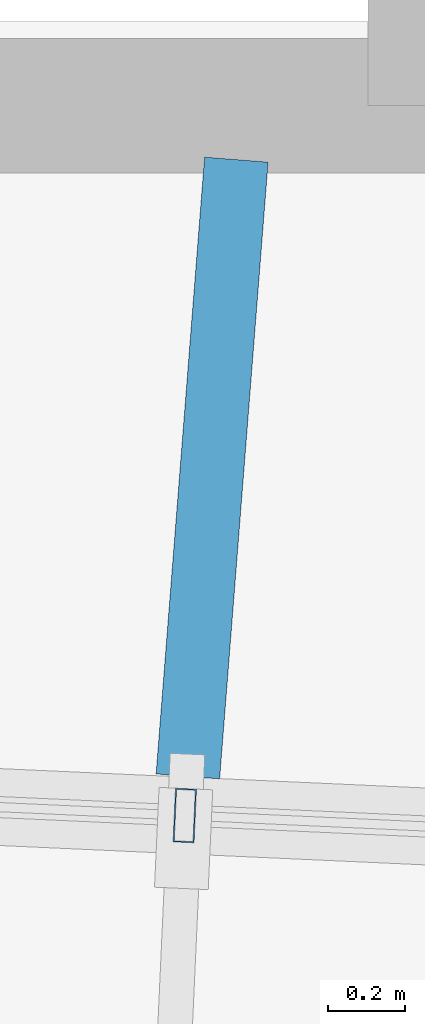
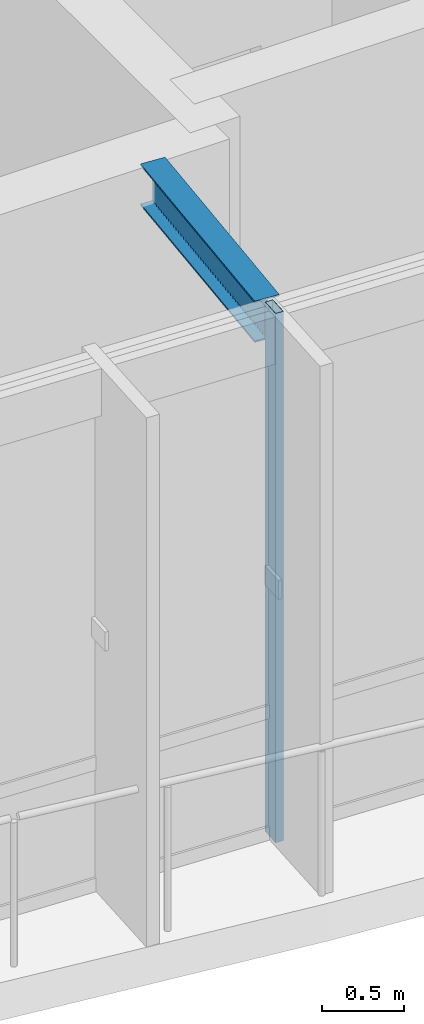
# One storey, part 16 of 78: 1 beam, 1 member, 1 element without a shape of its own.
"""IFC4 building model written with IfcOpenShell, lengths in metres."""

import ifcopenshell
import ifcopenshell.guid

model = None  # the IFC model being written
_history = None  # IfcOwnerHistory: only IFC2X3 demands one
_inside = {}  # id of a spatial element -> (the spatial element, [elements in it])
_under = {}  # id of a project, library or spatial element -> (it, [spatial elements below it])
_declared = {}  # id of a project -> (the project, [libraries it declares])
_typed = {}  # id of a type object -> (the type object, [elements of that type])
_made_of = {}  # id of a material, layer set ... -> (it, [elements and type objects made of it])


def new_model(schema):
    """Start an empty IFC model of exactly this schema.

    Asked for "IFC4X3", IfcOpenShell would pick the latest addendum, in which some entities
    have other attributes; the version numbers below select the first issue.
    IFC2X3 requires an IfcOwnerHistory on every rooted entity: one is made here for all.
    """
    global model, _history
    if schema == "IFC4X3":
        model = ifcopenshell.file(schema_version=(4, 3, 0, 0))
    else:
        model = ifcopenshell.file(schema=schema)
    _inside.clear()
    _under.clear()
    _declared.clear()
    _typed.clear()
    _made_of.clear()
    _history = None
    if model.schema == "IFC2X3":
        org = make("IfcOrganization", Name="unknown")
        user = make(
            "IfcPersonAndOrganization",
            ThePerson=make("IfcPerson", FamilyName="unknown"),
            TheOrganization=org,
        )
        app = make(
            "IfcApplication",
            ApplicationDeveloper=org,
            Version="unknown",
            ApplicationFullName="unknown",
            ApplicationIdentifier="unknown",
        )
        _history = make(
            "IfcOwnerHistory",
            OwningUser=user,
            OwningApplication=app,
            ChangeAction="ADDED",
            CreationDate=0,
        )
    return model


def make(cls, **values):
    """One entity of the class cls with the attributes given. An attribute that is None is left unset."""
    return model.create_entity(
        cls, **{name: value for name, value in values.items() if value is not None}
    )


def rooted(cls, **values):
    """An entity with a GlobalId (a new one), such as an element, a storey or a relation."""
    return make(cls, GlobalId=ifcopenshell.guid.new(), OwnerHistory=_history, **values)


def si_unit(unit_type, name, prefix=None):
    """IfcSIUnit, for example si_unit("LENGTHUNIT", "METRE", prefix="MILLI")."""
    return make("IfcSIUnit", UnitType=unit_type, Prefix=prefix, Name=name)


def assignment(units):
    """IfcUnitAssignment: the units of a project."""
    return None if units is None else make("IfcUnitAssignment", Units=units)


def point(xyz):
    """IfcCartesianPoint."""
    return None if xyz is None else make("IfcCartesianPoint", Coordinates=xyz)


def direction(xyz):
    """IfcDirection."""
    return None if xyz is None else make("IfcDirection", DirectionRatios=xyz)


def frame(location, z_axis=None, x_axis=None):
    """IfcAxis2Placement3D, a coordinate frame: its origin and axes. An axis left out is left unset."""
    return make(
        "IfcAxis2Placement3D",
        Location=point(location),
        Axis=direction(z_axis),
        RefDirection=direction(x_axis),
    )


def frame_2d(location, x_axis=None):
    """IfcAxis2Placement2D, a coordinate frame in the plane: its origin and x axis."""
    return make(
        "IfcAxis2Placement2D", Location=point(location), RefDirection=direction(x_axis)
    )


def origin():
    """The frame at (0, 0, 0) with its axes left unset."""
    return frame((0.0, 0.0, 0.0))


def origin_2d():
    """The frame at (0, 0) in the plane with its x axis left unset."""
    return frame_2d((0.0, 0.0))


def place(relative_to, where):
    """IfcLocalPlacement: puts the frame where relative to a parent placement (None: the world)."""
    return make(
        "IfcLocalPlacement", PlacementRelTo=relative_to, RelativePlacement=where
    )


def context(
    kind, dimensions, precision=None, world=None, true_north=None, identifier=None
):
    """IfcGeometricRepresentationContext, for example the 3D "Model" context."""
    return make(
        "IfcGeometricRepresentationContext",
        ContextIdentifier=identifier,
        ContextType=kind,
        CoordinateSpaceDimension=dimensions,
        Precision=precision,
        WorldCoordinateSystem=world,
        TrueNorth=true_north,
    )


def subcontext(parent, identifier, kind, view, scale=None):
    """IfcGeometricRepresentationSubContext, for example "Body" below "Model"."""
    return make(
        "IfcGeometricRepresentationSubContext",
        ContextIdentifier=identifier,
        ContextType=kind,
        ParentContext=parent,
        TargetScale=scale,
        TargetView=view,
    )


def project(units=None, contexts=None):
    """IfcProject with its units and contexts."""
    return rooted(
        "IfcProject",
        Name="project",
        RepresentationContexts=contexts,
        UnitsInContext=assignment(units),
    )


def spatial(cls, under=None, at=None, **own):
    """A site, building, storey or space (cls), placed at a placement, below another one or the project."""
    s = rooted(cls, ObjectPlacement=at, **own)
    if under is not None:
        _under.setdefault(under.id(), (under, []))[1].append(s)
    return s


def profile(cls, at=None, kind="AREA", **sizes):
    """A parametric profile (cls). Its sizes go by their IFC names, for example OverallWidth=200.0."""
    return make(cls, ProfileType=kind, Position=at, **sizes)


def hollow_rectangle(**sizes):
    """IfcRectangleHollowProfileDef."""
    return profile("IfcRectangleHollowProfileDef", **sizes)


def i_section(**sizes):
    """IfcIShapeProfileDef."""
    return profile("IfcIShapeProfileDef", **sizes)


def extrude(swept, where, along, depth):
    """IfcExtrudedAreaSolid: the profile swept, set in the frame where, extruded along a direction by depth."""
    return make(
        "IfcExtrudedAreaSolid",
        SweptArea=swept,
        Position=where,
        ExtrudedDirection=direction(along),
        Depth=depth,
    )


def shape(context_of_items, identifier, shape_type, items):
    """IfcShapeRepresentation: the items that make up one representation, for example the "Body"."""
    return make(
        "IfcShapeRepresentation",
        ContextOfItems=context_of_items,
        RepresentationIdentifier=identifier,
        RepresentationType=shape_type,
        Items=items,
    )


def material(Name=None, Category=None):
    """IfcMaterial."""
    return make("IfcMaterial", Name=Name, Category=Category)


def material_profile(
    of_material, cross_section, Name=None, Category=None, Priority=None
):
    """IfcMaterialProfile: a cross section and its material."""
    return make(
        "IfcMaterialProfile",
        Name=Name,
        Material=of_material,
        Profile=cross_section,
        Priority=Priority,
        Category=Category,
    )


def profile_set(profiles, Name=None, composite=None):
    """IfcMaterialProfileSet."""
    return make(
        "IfcMaterialProfileSet",
        Name=Name,
        MaterialProfiles=profiles,
        CompositeProfile=composite,
    )


def made_of(thing, what):
    """Note that an element or type object is made of a material, layer set ...; save() writes the relation."""
    if what is not None:
        _made_of.setdefault(what.id(), (what, []))[1].append(thing)
    return thing


def type_object(cls, material=None, **own):
    """A type object (cls), such as IfcWallType, which elements share."""
    return made_of(rooted(cls, **own), material)


def element(
    cls,
    number,
    at=None,
    inside=None,
    cuts=None,
    type_object=None,
    material=None,
    context=None,
    identifier="Body",
    shape_type=None,
    held_by="IfcProductDefinitionShape",
    body=None,
    shapes=None,
    **own,
):
    """One element of the class cls, such as IfcWall. Its Tag is "e" and its number.

    at: its placement. inside: the storey or other place that contains it. cuts: it is an
    opening in that element (IfcRelVoidsElement). A single representation is given by context,
    identifier, shape_type and body (its items); several are given by shapes. held_by: the class
    of the entity that holds the representations. save() writes the other relations.
    """
    e = rooted(cls, Tag="e%d" % number, ObjectPlacement=at, **own)
    if body is not None:
        shapes = [shape(context, identifier, shape_type, body)]
    if shapes is not None:
        e.Representation = make(held_by, Representations=shapes)
    if inside is not None:
        _inside.setdefault(inside.id(), (inside, []))[1].append(e)
    if cuts is not None:
        rooted(
            "IfcRelVoidsElement", RelatingBuildingElement=cuts, RelatedOpeningElement=e
        )
    if type_object is not None:
        _typed.setdefault(type_object.id(), (type_object, []))[1].append(e)
    return made_of(e, material)


def aggregate(whole, parts):
    """IfcRelAggregates: a whole, such as a stair, and the parts it consists of."""
    return rooted("IfcRelAggregates", RelatingObject=whole, RelatedObjects=parts)


def save(model, path):
    """Write the relations noted so far, then the file.

    IfcRelAggregates (storeys below a building ...), IfcRelContainedInSpatialStructure (elements
    in a storey), IfcRelDefinesByType, IfcRelAssociatesMaterial and IfcRelDeclares: one each for
    every whole, place, type object, material and project.
    """
    for whole, parts in _under.values():
        aggregate(whole, parts)
    for where, things in _inside.values():
        rooted(
            "IfcRelContainedInSpatialStructure",
            RelatedElements=things,
            RelatingStructure=where,
        )
    for kind, things in _typed.values():
        rooted("IfcRelDefinesByType", RelatedObjects=things, RelatingType=kind)
    for what, things in _made_of.values():
        rooted("IfcRelAssociatesMaterial", RelatedObjects=things, RelatingMaterial=what)
    for by, libraries in _declared.values():
        rooted("IfcRelDeclares", RelatingContext=by, RelatedDefinitions=libraries)
    model.write(path)


model = new_model("IFC4")

# Units and contexts
model_context = context("Model", 3, precision=1e-05, world=origin(), true_north=direction((0.0, 1.0)))
body_context = subcontext(model_context, "Body", "Model", "MODEL_VIEW")
ifc_project = project(units=[si_unit("LENGTHUNIT", "METRE"), si_unit("AREAUNIT", "SQUARE_METRE"), si_unit("VOLUMEUNIT", "CUBIC_METRE"), si_unit("PLANEANGLEUNIT", "RADIAN"), si_unit("MASSUNIT", "GRAM", prefix="KILO"), si_unit("THERMODYNAMICTEMPERATUREUNIT", "KELVIN"), si_unit("POWERUNIT", "WATT")], contexts=[model_context])

# Site, building, storey
site_placement = place(None, origin())
site = spatial("IfcSite", under=ifc_project, at=site_placement, CompositionType="ELEMENT")
building_placement = place(site_placement, origin())
building = spatial("IfcBuilding", under=site, at=building_placement, Name="Darbajah Civic Hall", CompositionType="ELEMENT")
storey_placement = place(building_placement, frame((0.0, 0.0, 26.39990234375)))
storey = spatial("IfcBuildingStorey", under=building, at=storey_placement, Name="L06", CompositionType="ELEMENT", Elevation=26.39990234375)

# Curtain wall, member
ifc_material_1 = material(Name="Anodised Bronze Aluminium and Low-E Glazing", Category="aluminium")
curtain_wall_type = type_object("IfcCurtainWallType", Name="Unitised Curtain Wall CW-84 15400x3900", PredefinedType="USERDEFINED", material=ifc_material_1)
curtain_wall_placement = place(storey_placement, origin())
curtain_wall = element("IfcCurtainWall", 1, at=curtain_wall_placement, inside=storey, type_object=curtain_wall_type, Name="L06 unitised curtain wall CW-V1O-L06-14", ObjectType="UNITISED CURTAIN WALL", PredefinedType="USERDEFINED")
ifc_material_2 = material(Name="Anodised Bronze Aluminium", Category="aluminium")
ifc_material_profile_1 = material_profile(ifc_material_2, hollow_rectangle(XDim=0.054931640625, YDim=0.139892578125, WallThickness=0.003173828125, at=origin_2d()), Name="ALU MULLION 55x140")
ifc_profile_set_1 = profile_set([ifc_material_profile_1], Name="Anodised Bronze Aluminium")
member_type = type_object("IfcMemberType", Name="ALU MULLION 55x140", PredefinedType="MULLION", material=ifc_profile_set_1)
member_placement = place(storey_placement, frame((85.14794921875, 60.7529296875, 0.0), z_axis=(0.0, 0.0, 1.0), x_axis=(0.998962637241, -0.045537340693, 0.0)))
member = element("IfcMember", 2, at=member_placement, type_object=member_type, Name="CW-V1O-L06-14 mullion 3", PredefinedType="MULLION", context=body_context, shape_type="SweptSolid", body=[
    extrude(hollow_rectangle(XDim=0.054931640625, YDim=0.139892578125, WallThickness=0.003173828125, at=origin_2d()), origin(), (0.0, 0.0, 1.0), 3.920166015625),
])
aggregate(curtain_wall, [member])

# Beam
ifc_material_3 = material(Name="Steel S355JR", Category="steel")
ifc_material_profile_2 = material_profile(ifc_material_3, i_section(OverallWidth=0.165771484375, OverallDepth=0.306640625, WebThickness=0.006591796875, FlangeThickness=0.01171875, FilletRadius=0.0087890625, at=origin_2d()), Name="UB 305x165x46")
ifc_profile_set_2 = profile_set([ifc_material_profile_2], Name="Steel S355JR")
beam_type = type_object("IfcBeamType", Name="UB 305x165x46", PredefinedType="JOIST", material=ifc_profile_set_2)
beam_placement = place(storey_placement, frame((85.2822265625, 62.4599609375, 3.766845703125), z_axis=(-0.078389217268, -0.996922830823, 0.0), x_axis=(0.996922830823, -0.078389217268, 0.0)))
element("IfcBeam", 3, at=beam_placement, inside=storey, type_object=beam_type, Name="L06 beam SJ-305", PredefinedType="JOIST", context=body_context, shape_type="SweptSolid", body=[
    extrude(i_section(OverallWidth=0.165771484375, OverallDepth=0.306640625, WebThickness=0.006591796875, FlangeThickness=0.01171875, FilletRadius=0.0087890625, at=origin_2d()), origin(), (0.0, 0.0, 1.0), 1.610107421875),
])

save(model, "model.ifc")
